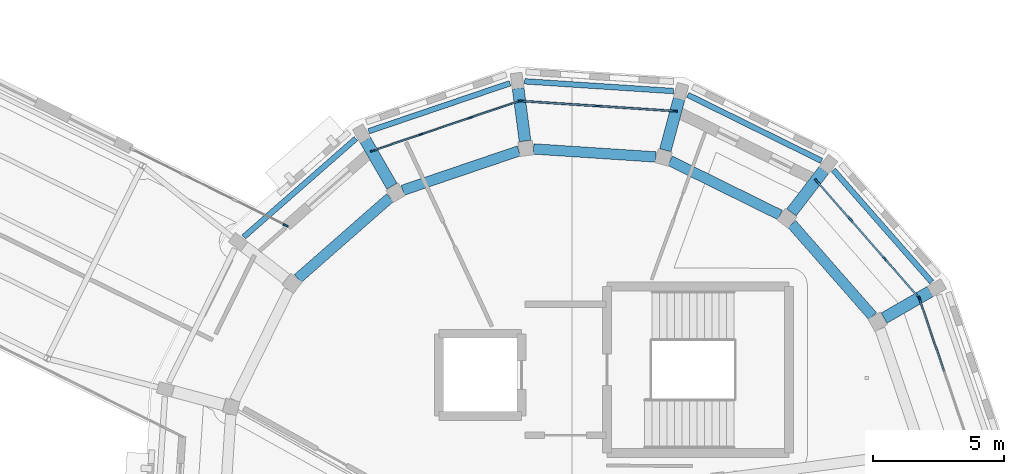
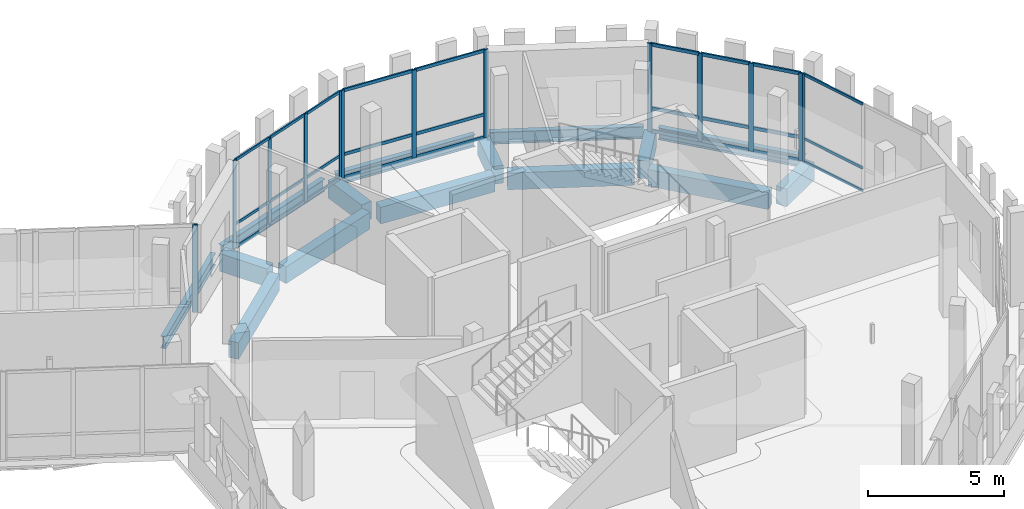
# One storey, part 69 of 125: 40 members, 15 beams, 5 elements without a shape of their own.
"""IFC4 building model written with IfcOpenShell, lengths in metres."""

from ifc_helpers import new_model, si_unit, direction, frame, origin, origin_2d, place, context, subcontext, project, spatial, rectangle, i_section, extrude, material, material_profile, profile_set, type_object, element, aggregate, save


model = new_model("IFC4")

# Units and contexts
model_context = context("Model", 3, precision=1e-05, world=origin(), true_north=direction((0.0, 1.0)))
body_context = subcontext(model_context, "Body", "Model", "MODEL_VIEW")
ifc_project = project(units=[si_unit("LENGTHUNIT", "METRE"), si_unit("AREAUNIT", "SQUARE_METRE"), si_unit("VOLUMEUNIT", "CUBIC_METRE"), si_unit("PLANEANGLEUNIT", "RADIAN"), si_unit("MASSUNIT", "GRAM", prefix="KILO")], contexts=[model_context])

# Site, building, storey
site_placement = place(None, origin())
site = spatial("IfcSite", under=ifc_project, at=site_placement, CompositionType="ELEMENT")
building_placement = place(site_placement, origin())
building = spatial("IfcBuilding", under=site, at=building_placement, Name="Wrenclough Park School", CompositionType="ELEMENT")
storey_placement = place(building_placement, frame((0.0, 0.0, 4.199951171875)))
storey = spatial("IfcBuildingStorey", under=building, at=storey_placement, Name="L01", CompositionType="ELEMENT", Elevation=4.199951171875)

# Curtain wall, members
ifc_material_1 = material(Name="Thermally broken aluminium and low-e glass curtain wall", Category="aluminium")
curtain_wall_type_1 = type_object("IfcCurtainWallType", Name="ENV-CW-03", PredefinedType="USERDEFINED", material=ifc_material_1)
curtain_wall_1_placement = place(storey_placement, origin())
curtain_wall_1 = element("IfcCurtainWall", 1, at=curtain_wall_1_placement, inside=storey, type_object=curtain_wall_type_1, Name="L01 recessed curtain wall assembly 114", ObjectType="CURTAIN WALL", PredefinedType="USERDEFINED")
ifc_material_2 = material(Name="Thermally broken anodised aluminium", Category="aluminium")
ifc_material_profile_1 = material_profile(ifc_material_2, rectangle(XDim=0.06005859375, YDim=0.159912109375, at=origin_2d()), Name="AL MULLION 60x160")
ifc_profile_set_1 = profile_set([ifc_material_profile_1], Name="Thermally broken anodised aluminium")
member_type_1 = type_object("IfcMemberType", Name="ENV-CWM-1", PredefinedType="MULLION", material=ifc_profile_set_1)
member_1_placement = place(storey_placement, frame((166.893310546875, 106.741943359375, 0.0), z_axis=(0.0, 0.0, 1.0), x_axis=(-0.321428688473, 0.946933787668, 0.0)))
member_1 = element("IfcMember", 2, at=member_1_placement, type_object=member_type_1, Name="CW-03 mullion 1", PredefinedType="MULLION", context=body_context, shape_type="SweptSolid", body=[
    extrude(rectangle(XDim=0.06005859375, YDim=0.159912109375, at=origin_2d()), origin(), (0.0, 0.0, 1.0), 3.93994140625),
])
member_2_placement = place(storey_placement, frame((168.743896484375, 107.3701171875, 0.0), z_axis=(0.0, 0.0, 1.0), x_axis=(-0.321428688473, 0.946933787668, 0.0)))
member_2 = element("IfcMember", 3, at=member_2_placement, type_object=member_type_1, Name="CW-03 mullion 2", PredefinedType="MULLION", context=body_context, shape_type="SweptSolid", body=[
    extrude(rectangle(XDim=0.06005859375, YDim=0.159912109375, at=origin_2d()), origin(), (0.0, 0.0, 1.0), 3.93994140625),
])
member_3_placement = place(storey_placement, frame((170.623046875, 108.0078125, 0.0), z_axis=(0.0, 0.0, 1.0), x_axis=(-0.321428688473, 0.946933787668, 0.0)))
member_3 = element("IfcMember", 4, at=member_3_placement, type_object=member_type_1, Name="CW-03 mullion 3", PredefinedType="MULLION", context=body_context, shape_type="SweptSolid", body=[
    extrude(rectangle(XDim=0.06005859375, YDim=0.159912109375, at=origin_2d()), origin(), (0.0, 0.0, 1.0), 3.93994140625),
])
member_4_placement = place(storey_placement, frame((172.4736328125, 108.635986328125, 0.0), z_axis=(0.0, 0.0, 1.0), x_axis=(-0.321428688473, 0.946933787668, 0.0)))
member_4 = element("IfcMember", 5, at=member_4_placement, type_object=member_type_1, Name="CW-03 mullion 4", PredefinedType="MULLION", context=body_context, shape_type="SweptSolid", body=[
    extrude(rectangle(XDim=0.06005859375, YDim=0.159912109375, at=origin_2d()), origin(), (0.0, 0.0, 1.0), 3.93994140625),
])

# Curtain wall, member
curtain_wall_type_2 = type_object("IfcCurtainWallType", Name="ENV-CW-06", PredefinedType="USERDEFINED", material=ifc_material_1)
curtain_wall_2_placement = place(storey_placement, origin())
curtain_wall_2 = element("IfcCurtainWall", 6, at=curtain_wall_2_placement, inside=storey, type_object=curtain_wall_type_2, Name="L01 recessed curtain wall assembly 117", ObjectType="CURTAIN WALL", PredefinedType="USERDEFINED")
member_5_placement = place(storey_placement, frame((187.741943359375, 101.106689453125, 0.0), z_axis=(0.0, 0.0, 1.0), x_axis=(0.946933787668, 0.321428688473, 0.0)))
member_5 = element("IfcMember", 7, at=member_5_placement, type_object=member_type_1, Name="CW-06 mullion 1", PredefinedType="MULLION", context=body_context, shape_type="SweptSolid", body=[
    extrude(rectangle(XDim=0.06005859375, YDim=0.159912109375, at=origin_2d()), origin(), (0.0, 0.0, 1.0), 3.93994140625),
])

# Curtain wall, members
curtain_wall_type_3 = type_object("IfcCurtainWallType", Name="ENV-CW-04", PredefinedType="USERDEFINED", material=ifc_material_1)
curtain_wall_3_placement = place(storey_placement, origin())
curtain_wall_3 = element("IfcCurtainWall", 8, at=curtain_wall_3_placement, inside=storey, type_object=curtain_wall_type_3, Name="L01 recessed curtain wall assembly 115", ObjectType="CURTAIN WALL", PredefinedType="USERDEFINED")
ifc_material_profile_2 = material_profile(ifc_material_2, rectangle(XDim=0.06494140625, YDim=0.179931640625, at=origin_2d()), Name="AL MULLION 65x180")
ifc_profile_set_2 = profile_set([ifc_material_profile_2], Name="Thermally broken anodised aluminium")
member_type_2 = type_object("IfcMemberType", Name="ENV-CWM-2", PredefinedType="MULLION", material=ifc_profile_set_2)
member_6_placement = place(storey_placement, frame((172.542236328125, 108.64453125, 0.0), z_axis=(0.0, 0.0, 1.0), x_axis=(0.065379498276, 0.997860471812, 0.0)))
member_6 = element("IfcMember", 9, at=member_6_placement, type_object=member_type_2, Name="CW-04 mullion 1", PredefinedType="MULLION", context=body_context, shape_type="SweptSolid", body=[
    extrude(rectangle(XDim=0.06494140625, YDim=0.179931640625, at=origin_2d()), origin(), (0.0, 0.0, 1.0), 3.93994140625),
])
member_7_placement = place(storey_placement, frame((175.47998046875, 108.4521484375, 0.0), z_axis=(0.0, 0.0, 1.0), x_axis=(0.065379498276, 0.997860471812, 0.0)))
member_7 = element("IfcMember", 10, at=member_7_placement, type_object=member_type_2, Name="CW-04 mullion 2", PredefinedType="MULLION", context=body_context, shape_type="SweptSolid", body=[
    extrude(rectangle(XDim=0.06494140625, YDim=0.179931640625, at=origin_2d()), origin(), (0.0, 0.0, 1.0), 3.93994140625),
])
member_8_placement = place(storey_placement, frame((178.417724609375, 108.259521484375, 0.0), z_axis=(0.0, 0.0, 1.0), x_axis=(0.065379498276, 0.997860471812, 0.0)))
member_8 = element("IfcMember", 11, at=member_8_placement, type_object=member_type_2, Name="CW-04 mullion 3", PredefinedType="MULLION", context=body_context, shape_type="SweptSolid", body=[
    extrude(rectangle(XDim=0.06494140625, YDim=0.179931640625, at=origin_2d()), origin(), (0.0, 0.0, 1.0), 3.93994140625),
])

# Curtain wall, member
curtain_wall_type_4 = type_object("IfcCurtainWallType", Name="ENV-CW-02", PredefinedType="USERDEFINED", material=ifc_material_1)
curtain_wall_4_placement = place(storey_placement, origin())
curtain_wall_4 = element("IfcCurtainWall", 12, at=curtain_wall_4_placement, inside=storey, type_object=curtain_wall_type_4, Name="L01 recessed curtain wall assembly 113", ObjectType="CURTAIN WALL", PredefinedType="USERDEFINED")
ifc_material_profile_3 = material_profile(ifc_material_2, rectangle(XDim=0.070068359375, YDim=0.199951171875, at=origin_2d()), Name="AL MULLION 70x200")
ifc_profile_set_3 = profile_set([ifc_material_profile_3], Name="Thermally broken anodised aluminium")
member_type_3 = type_object("IfcMemberType", Name="ENV-CWM-3", PredefinedType="MULLION", material=ifc_profile_set_3)
member_9_placement = place(storey_placement, frame((163.580810546875, 103.90185546875, 0.0), z_axis=(0.0, 0.0, 1.0), x_axis=(0.443511318294, 0.896268771377, 0.0)))
member_9 = element("IfcMember", 13, at=member_9_placement, type_object=member_type_3, Name="CW-02 mullion 4", PredefinedType="MULLION", context=body_context, shape_type="SweptSolid", body=[
    extrude(rectangle(XDim=0.070068359375, YDim=0.199951171875, at=origin_2d()), origin(), (0.0, 0.0, 1.0), 3.93994140625),
])
aggregate(curtain_wall_4, [member_9])

# Curtain wall, members
curtain_wall_type_5 = type_object("IfcCurtainWallType", Name="ENV-CW-05", PredefinedType="USERDEFINED", material=ifc_material_1)
curtain_wall_5_placement = place(storey_placement, origin())
curtain_wall_5 = element("IfcCurtainWall", 14, at=curtain_wall_5_placement, inside=storey, type_object=curtain_wall_type_5, Name="L01 recessed curtain wall assembly 116", ObjectType="CURTAIN WALL", PredefinedType="USERDEFINED")
member_10_placement = place(storey_placement, frame((183.826171875, 105.591064453125, 0.0), z_axis=(0.0, 0.0, 1.0), x_axis=(0.751822807743, 0.65936519908, 0.0)))
member_10 = element("IfcMember", 15, at=member_10_placement, type_object=member_type_3, Name="CW-05 mullion 1", PredefinedType="MULLION", context=body_context, shape_type="SweptSolid", body=[
    extrude(rectangle(XDim=0.070068359375, YDim=0.199951171875, at=origin_2d()), origin(), (0.0, 0.0, 1.0), 3.93994140625),
])
member_11_placement = place(storey_placement, frame((185.111572265625, 104.125732421875, 0.0), z_axis=(0.0, 0.0, 1.0), x_axis=(0.751822807743, 0.65936519908, 0.0)))
member_11 = element("IfcMember", 16, at=member_11_placement, type_object=member_type_3, Name="CW-05 mullion 2", PredefinedType="MULLION", context=body_context, shape_type="SweptSolid", body=[
    extrude(rectangle(XDim=0.070068359375, YDim=0.199951171875, at=origin_2d()), origin(), (0.0, 0.0, 1.0), 3.93994140625),
])
member_12_placement = place(storey_placement, frame((186.419921875, 102.6337890625, 0.0), z_axis=(0.0, 0.0, 1.0), x_axis=(0.751822807743, 0.65936519908, 0.0)))
member_12 = element("IfcMember", 17, at=member_12_placement, type_object=member_type_3, Name="CW-05 mullion 3", PredefinedType="MULLION", context=body_context, shape_type="SweptSolid", body=[
    extrude(rectangle(XDim=0.070068359375, YDim=0.199951171875, at=origin_2d()), origin(), (0.0, 0.0, 1.0), 3.93994140625),
])
member_13_placement = place(storey_placement, frame((187.705322265625, 101.168212890625, 0.0), z_axis=(0.0, 0.0, 1.0), x_axis=(0.751822807743, 0.65936519908, 0.0)))
member_13 = element("IfcMember", 18, at=member_13_placement, type_object=member_type_3, Name="CW-05 mullion 4", PredefinedType="MULLION", context=body_context, shape_type="SweptSolid", body=[
    extrude(rectangle(XDim=0.070068359375, YDim=0.199951171875, at=origin_2d()), origin(), (0.0, 0.0, 1.0), 3.93994140625),
])

# Member
ifc_material_profile_4 = material_profile(ifc_material_2, rectangle(XDim=0.06005859375, YDim=0.1201171875, at=origin_2d()), Name="AL TRANSOM 60x120")
ifc_profile_set_4 = profile_set([ifc_material_profile_4], Name="Thermally broken anodised aluminium")
member_type_4 = type_object("IfcMemberType", Name="ENV-CWT-1", PredefinedType="USERDEFINED", material=ifc_profile_set_4)
member_14_placement = place(storey_placement, frame((166.921630859375, 106.75146484375, 0.030029296875), z_axis=(0.946942284654, 0.321403655134, 0.0), x_axis=(-0.321403655134, 0.946942284654, 0.0)))
member_14 = element("IfcMember", 19, at=member_14_placement, type_object=member_type_4, Name="CW-03 transom 1.1", ObjectType="TRANSOM", PredefinedType="USERDEFINED", context=body_context, shape_type="SweptSolid", body=[
    extrude(rectangle(XDim=0.06005859375, YDim=0.1201171875, at=origin_2d()), origin(), (0.0, 0.0, 1.0), 1.89453125),
])

member_15_placement = place(storey_placement, frame((166.921630859375, 106.75146484375, 1.050048828125), z_axis=(0.946942284654, 0.321403655134, 0.0), x_axis=(-0.321403655134, 0.946942284654, 0.0)))
member_15 = element("IfcMember", 20, at=member_15_placement, type_object=member_type_4, Name="CW-03 transom 1.2", ObjectType="TRANSOM", PredefinedType="USERDEFINED", context=body_context, shape_type="SweptSolid", body=[
    extrude(rectangle(XDim=0.06005859375, YDim=0.1201171875, at=origin_2d()), origin(), (0.0, 0.0, 1.0), 1.89453125),
])

member_16_placement = place(storey_placement, frame((166.921630859375, 106.75146484375, 3.91015625), z_axis=(0.946942284654, 0.321403655134, 0.0), x_axis=(-0.321403655134, 0.946942284654, 0.0)))
member_16 = element("IfcMember", 21, at=member_16_placement, type_object=member_type_4, Name="CW-03 transom 1.3", ObjectType="TRANSOM", PredefinedType="USERDEFINED", context=body_context, shape_type="SweptSolid", body=[
    extrude(rectangle(XDim=0.06005859375, YDim=0.1201171875, at=origin_2d()), origin(), (0.0, 0.0, 1.0), 1.89453125),
])

member_17_placement = place(storey_placement, frame((168.7724609375, 107.379638671875, 0.030029296875), z_axis=(0.946918026374, 0.321475117743, 0.0), x_axis=(-0.321475117743, 0.946918026374, 0.0)))
member_17 = element("IfcMember", 22, at=member_17_placement, type_object=member_type_4, Name="CW-03 transom 2.1", ObjectType="TRANSOM", PredefinedType="USERDEFINED", context=body_context, shape_type="SweptSolid", body=[
    extrude(rectangle(XDim=0.06005859375, YDim=0.1201171875, at=origin_2d()), origin(), (0.0, 0.0, 1.0), 1.92431640625),
])

member_18_placement = place(storey_placement, frame((168.7724609375, 107.379638671875, 1.050048828125), z_axis=(0.946918026374, 0.321475117743, 0.0), x_axis=(-0.321475117743, 0.946918026374, 0.0)))
member_18 = element("IfcMember", 23, at=member_18_placement, type_object=member_type_4, Name="CW-03 transom 2.2", ObjectType="TRANSOM", PredefinedType="USERDEFINED", context=body_context, shape_type="SweptSolid", body=[
    extrude(rectangle(XDim=0.06005859375, YDim=0.1201171875, at=origin_2d()), origin(), (0.0, 0.0, 1.0), 1.92431640625),
])

member_19_placement = place(storey_placement, frame((168.7724609375, 107.379638671875, 3.91015625), z_axis=(0.946918026374, 0.321475117743, 0.0), x_axis=(-0.321475117743, 0.946918026374, 0.0)))
member_19 = element("IfcMember", 24, at=member_19_placement, type_object=member_type_4, Name="CW-03 transom 2.3", ObjectType="TRANSOM", PredefinedType="USERDEFINED", context=body_context, shape_type="SweptSolid", body=[
    extrude(rectangle(XDim=0.06005859375, YDim=0.1201171875, at=origin_2d()), origin(), (0.0, 0.0, 1.0), 1.92431640625),
])

member_20_placement = place(storey_placement, frame((170.6513671875, 108.017578125, 0.030029296875), z_axis=(0.946942284654, 0.321403655134, 0.0), x_axis=(-0.321403655134, 0.946942284654, 0.0)))
member_20 = element("IfcMember", 25, at=member_20_placement, type_object=member_type_4, Name="CW-03 transom 3.1", ObjectType="TRANSOM", PredefinedType="USERDEFINED", context=body_context, shape_type="SweptSolid", body=[
    extrude(rectangle(XDim=0.06005859375, YDim=0.1201171875, at=origin_2d()), origin(), (0.0, 0.0, 1.0), 1.89453125),
])

member_21_placement = place(storey_placement, frame((170.6513671875, 108.017578125, 1.050048828125), z_axis=(0.946942284654, 0.321403655134, 0.0), x_axis=(-0.321403655134, 0.946942284654, 0.0)))
member_21 = element("IfcMember", 26, at=member_21_placement, type_object=member_type_4, Name="CW-03 transom 3.2", ObjectType="TRANSOM", PredefinedType="USERDEFINED", context=body_context, shape_type="SweptSolid", body=[
    extrude(rectangle(XDim=0.06005859375, YDim=0.1201171875, at=origin_2d()), origin(), (0.0, 0.0, 1.0), 1.89453125),
])

member_22_placement = place(storey_placement, frame((170.6513671875, 108.017578125, 3.91015625), z_axis=(0.946942284654, 0.321403655134, 0.0), x_axis=(-0.321403655134, 0.946942284654, 0.0)))
member_22 = element("IfcMember", 27, at=member_22_placement, type_object=member_type_4, Name="CW-03 transom 3.3", ObjectType="TRANSOM", PredefinedType="USERDEFINED", context=body_context, shape_type="SweptSolid", body=[
    extrude(rectangle(XDim=0.06005859375, YDim=0.1201171875, at=origin_2d()), origin(), (0.0, 0.0, 1.0), 1.89453125),
])

aggregate(curtain_wall_1, [member_1, member_2, member_3, member_4, member_14, member_15, member_16, member_17, member_18, member_19, member_20, member_21, member_22])

member_23_placement = place(storey_placement, frame((187.75146484375, 101.078369140625, 0.030029296875), z_axis=(0.321399278852, -0.946943770006, 0.0), x_axis=(0.946943770006, 0.321399278852, 0.0)))
member_23 = element("IfcMember", 28, at=member_23_placement, type_object=member_type_4, Name="CW-06 transom 1.1", ObjectType="TRANSOM", PredefinedType="USERDEFINED", context=body_context, shape_type="SweptSolid", body=[
    extrude(rectangle(XDim=0.06005859375, YDim=0.1201171875, at=origin_2d()), origin(), (0.0, 0.0, 1.0), 2.886474609375),
])

member_24_placement = place(storey_placement, frame((187.75146484375, 101.078369140625, 1.050048828125), z_axis=(0.321399278852, -0.946943770006, 0.0), x_axis=(0.946943770006, 0.321399278852, 0.0)))
member_24 = element("IfcMember", 29, at=member_24_placement, type_object=member_type_4, Name="CW-06 transom 1.2", ObjectType="TRANSOM", PredefinedType="USERDEFINED", context=body_context, shape_type="SweptSolid", body=[
    extrude(rectangle(XDim=0.06005859375, YDim=0.1201171875, at=origin_2d()), origin(), (0.0, 0.0, 1.0), 2.886474609375),
])

member_25_placement = place(storey_placement, frame((187.75146484375, 101.078369140625, 3.91015625), z_axis=(0.321399278852, -0.946943770006, 0.0), x_axis=(0.946943770006, 0.321399278852, 0.0)))
member_25 = element("IfcMember", 30, at=member_25_placement, type_object=member_type_4, Name="CW-06 transom 1.3", ObjectType="TRANSOM", PredefinedType="USERDEFINED", context=body_context, shape_type="SweptSolid", body=[
    extrude(rectangle(XDim=0.06005859375, YDim=0.1201171875, at=origin_2d()), origin(), (0.0, 0.0, 1.0), 2.886474609375),
])

aggregate(curtain_wall_2, [member_5, member_23, member_24, member_25])

ifc_material_profile_5 = material_profile(ifc_material_2, rectangle(XDim=0.06494140625, YDim=0.139892578125, at=origin_2d()), Name="AL TRANSOM 65x140")
ifc_profile_set_5 = profile_set([ifc_material_profile_5], Name="Thermally broken anodised aluminium")
member_type_5 = type_object("IfcMemberType", Name="ENV-CWT-2", PredefinedType="USERDEFINED", material=ifc_profile_set_5)
member_26_placement = place(storey_placement, frame((172.57470703125, 108.642333984375, 0.032470703125), z_axis=(0.997865835309, -0.065297585892, 0.0), x_axis=(0.065297585892, 0.997865835309, 0.0)))
member_26 = element("IfcMember", 31, at=member_26_placement, type_object=member_type_5, Name="CW-04 transom 1.1", ObjectType="TRANSOM", PredefinedType="USERDEFINED", context=body_context, shape_type="SweptSolid", body=[
    extrude(rectangle(XDim=0.06494140625, YDim=0.139892578125, at=origin_2d()), origin(), (0.0, 0.0, 1.0), 2.87890625),
])

member_27_placement = place(storey_placement, frame((172.57470703125, 108.642333984375, 1.050048828125), z_axis=(0.997865835309, -0.065297585892, 0.0), x_axis=(0.065297585892, 0.997865835309, 0.0)))
member_27 = element("IfcMember", 32, at=member_27_placement, type_object=member_type_5, Name="CW-04 transom 1.2", ObjectType="TRANSOM", PredefinedType="USERDEFINED", context=body_context, shape_type="SweptSolid", body=[
    extrude(rectangle(XDim=0.06494140625, YDim=0.139892578125, at=origin_2d()), origin(), (0.0, 0.0, 1.0), 2.87890625),
])

member_28_placement = place(storey_placement, frame((172.57470703125, 108.642333984375, 3.907470703125), z_axis=(0.997865835309, -0.065297585892, 0.0), x_axis=(0.065297585892, 0.997865835309, 0.0)))
member_28 = element("IfcMember", 33, at=member_28_placement, type_object=member_type_5, Name="CW-04 transom 1.3", ObjectType="TRANSOM", PredefinedType="USERDEFINED", context=body_context, shape_type="SweptSolid", body=[
    extrude(rectangle(XDim=0.06494140625, YDim=0.139892578125, at=origin_2d()), origin(), (0.0, 0.0, 1.0), 2.87890625),
])

member_29_placement = place(storey_placement, frame((175.512451171875, 108.449951171875, 0.032470703125), z_axis=(0.997860306215, -0.065382025673, 0.0), x_axis=(0.065382025673, 0.997860306215, 0.0)))
member_29 = element("IfcMember", 34, at=member_29_placement, type_object=member_type_5, Name="CW-04 transom 2.1", ObjectType="TRANSOM", PredefinedType="USERDEFINED", context=body_context, shape_type="SweptSolid", body=[
    extrude(rectangle(XDim=0.06494140625, YDim=0.139892578125, at=origin_2d()), origin(), (0.0, 0.0, 1.0), 2.87890625),
])

member_30_placement = place(storey_placement, frame((175.512451171875, 108.449951171875, 1.050048828125), z_axis=(0.997860306215, -0.065382025673, 0.0), x_axis=(0.065382025673, 0.997860306215, 0.0)))
member_30 = element("IfcMember", 35, at=member_30_placement, type_object=member_type_5, Name="CW-04 transom 2.2", ObjectType="TRANSOM", PredefinedType="USERDEFINED", context=body_context, shape_type="SweptSolid", body=[
    extrude(rectangle(XDim=0.06494140625, YDim=0.139892578125, at=origin_2d()), origin(), (0.0, 0.0, 1.0), 2.87890625),
])

member_31_placement = place(storey_placement, frame((175.512451171875, 108.449951171875, 3.907470703125), z_axis=(0.997860306215, -0.065382025673, 0.0), x_axis=(0.065382025673, 0.997860306215, 0.0)))
member_31 = element("IfcMember", 36, at=member_31_placement, type_object=member_type_5, Name="CW-04 transom 2.3", ObjectType="TRANSOM", PredefinedType="USERDEFINED", context=body_context, shape_type="SweptSolid", body=[
    extrude(rectangle(XDim=0.06494140625, YDim=0.139892578125, at=origin_2d()), origin(), (0.0, 0.0, 1.0), 2.87890625),
])

aggregate(curtain_wall_3, [member_6, member_7, member_8, member_26, member_27, member_28, member_29, member_30, member_31])

ifc_material_profile_6 = material_profile(ifc_material_2, rectangle(XDim=0.070068359375, YDim=0.14990234375, at=origin_2d()), Name="AL TRANSOM 70x150")
ifc_profile_set_6 = profile_set([ifc_material_profile_6], Name="Thermally broken anodised aluminium")
member_type_6 = type_object("IfcMemberType", Name="ENV-CWT-3", PredefinedType="USERDEFINED", material=ifc_profile_set_6)
member_32_placement = place(storey_placement, frame((183.849365234375, 105.56494140625, 0.03515625), z_axis=(0.659276803766, -0.751900323192, 0.0), x_axis=(0.751900323192, 0.659276803766, 0.0)))
member_32 = element("IfcMember", 37, at=member_32_placement, type_object=member_type_6, Name="CW-05 transom 1.1", ObjectType="TRANSOM", PredefinedType="USERDEFINED", context=body_context, shape_type="SweptSolid", body=[
    extrude(rectangle(XDim=0.070068359375, YDim=0.14990234375, at=origin_2d()), origin(), (0.0, 0.0, 1.0), 1.87939453125),
])

member_33_placement = place(storey_placement, frame((183.849365234375, 105.56494140625, 1.050048828125), z_axis=(0.659276803766, -0.751900323192, 0.0), x_axis=(0.751900323192, 0.659276803766, 0.0)))
member_33 = element("IfcMember", 38, at=member_33_placement, type_object=member_type_6, Name="CW-05 transom 1.2", ObjectType="TRANSOM", PredefinedType="USERDEFINED", context=body_context, shape_type="SweptSolid", body=[
    extrude(rectangle(XDim=0.070068359375, YDim=0.14990234375, at=origin_2d()), origin(), (0.0, 0.0, 1.0), 1.87939453125),
])

member_34_placement = place(storey_placement, frame((183.849365234375, 105.56494140625, 3.905029296875), z_axis=(0.659276803766, -0.751900323192, 0.0), x_axis=(0.751900323192, 0.659276803766, 0.0)))
member_34 = element("IfcMember", 39, at=member_34_placement, type_object=member_type_6, Name="CW-05 transom 1.3", ObjectType="TRANSOM", PredefinedType="USERDEFINED", context=body_context, shape_type="SweptSolid", body=[
    extrude(rectangle(XDim=0.070068359375, YDim=0.14990234375, at=origin_2d()), origin(), (0.0, 0.0, 1.0), 1.87939453125),
])

member_35_placement = place(storey_placement, frame((185.134521484375, 104.099365234375, 0.03515625), z_axis=(0.659361945465, -0.751825661222, 0.0), x_axis=(0.751825661222, 0.659361945465, 0.0)))
member_35 = element("IfcMember", 40, at=member_35_placement, type_object=member_type_6, Name="CW-05 transom 2.1", ObjectType="TRANSOM", PredefinedType="USERDEFINED", context=body_context, shape_type="SweptSolid", body=[
    extrude(rectangle(XDim=0.070068359375, YDim=0.14990234375, at=origin_2d()), origin(), (0.0, 0.0, 1.0), 1.914306640625),
])

member_36_placement = place(storey_placement, frame((185.134521484375, 104.099365234375, 1.050048828125), z_axis=(0.659361945465, -0.751825661222, 0.0), x_axis=(0.751825661222, 0.659361945465, 0.0)))
member_36 = element("IfcMember", 41, at=member_36_placement, type_object=member_type_6, Name="CW-05 transom 2.2", ObjectType="TRANSOM", PredefinedType="USERDEFINED", context=body_context, shape_type="SweptSolid", body=[
    extrude(rectangle(XDim=0.070068359375, YDim=0.14990234375, at=origin_2d()), origin(), (0.0, 0.0, 1.0), 1.914306640625),
])

member_37_placement = place(storey_placement, frame((185.134521484375, 104.099365234375, 3.905029296875), z_axis=(0.659361945465, -0.751825661222, 0.0), x_axis=(0.751825661222, 0.659361945465, 0.0)))
member_37 = element("IfcMember", 42, at=member_37_placement, type_object=member_type_6, Name="CW-05 transom 2.3", ObjectType="TRANSOM", PredefinedType="USERDEFINED", context=body_context, shape_type="SweptSolid", body=[
    extrude(rectangle(XDim=0.070068359375, YDim=0.14990234375, at=origin_2d()), origin(), (0.0, 0.0, 1.0), 1.914306640625),
])

member_38_placement = place(storey_placement, frame((186.44287109375, 102.607421875, 0.03515625), z_axis=(0.6594146338, -0.751779449527, 0.0), x_axis=(0.751779449527, 0.6594146338, 0.0)))
member_38 = element("IfcMember", 43, at=member_38_placement, type_object=member_type_6, Name="CW-05 transom 3.1", ObjectType="TRANSOM", PredefinedType="USERDEFINED", context=body_context, shape_type="SweptSolid", body=[
    extrude(rectangle(XDim=0.070068359375, YDim=0.14990234375, at=origin_2d()), origin(), (0.0, 0.0, 1.0), 1.87939453125),
])

member_39_placement = place(storey_placement, frame((186.44287109375, 102.607421875, 1.050048828125), z_axis=(0.6594146338, -0.751779449527, 0.0), x_axis=(0.751779449527, 0.6594146338, 0.0)))
member_39 = element("IfcMember", 44, at=member_39_placement, type_object=member_type_6, Name="CW-05 transom 3.2", ObjectType="TRANSOM", PredefinedType="USERDEFINED", context=body_context, shape_type="SweptSolid", body=[
    extrude(rectangle(XDim=0.070068359375, YDim=0.14990234375, at=origin_2d()), origin(), (0.0, 0.0, 1.0), 1.87939453125),
])

member_40_placement = place(storey_placement, frame((186.44287109375, 102.607421875, 3.905029296875), z_axis=(0.6594146338, -0.751779449527, 0.0), x_axis=(0.751779449527, 0.6594146338, 0.0)))
member_40 = element("IfcMember", 45, at=member_40_placement, type_object=member_type_6, Name="CW-05 transom 3.3", ObjectType="TRANSOM", PredefinedType="USERDEFINED", context=body_context, shape_type="SweptSolid", body=[
    extrude(rectangle(XDim=0.070068359375, YDim=0.14990234375, at=origin_2d()), origin(), (0.0, 0.0, 1.0), 1.87939453125),
])

aggregate(curtain_wall_5, [member_10, member_11, member_12, member_13, member_32, member_33, member_34, member_35, member_36, member_37, member_38, member_39, member_40])

# Beams
ifc_material_3 = material(Name="Concrete C35/45", Category="concrete")
ifc_material_profile_7 = material_profile(ifc_material_3, rectangle(XDim=0.39990234375, YDim=0.75, at=origin_2d()), Name="RC BEAM 400x750")
ifc_profile_set_7 = profile_set([ifc_material_profile_7], Name="Concrete C35/45")
beam_type_1 = type_object("IfcBeamType", Name="STR-BM-RC400B", PredefinedType="BEAM", material=ifc_profile_set_7)
beam_1_placement = place(storey_placement, frame((185.9580078125, 100.44140625, -0.639892578125), z_axis=(-0.659318126683, 0.751864088667, 0.0), x_axis=(-0.751864088667, -0.659318126683, 0.0)))
element("IfcBeam", 46, at=beam_1_placement, inside=storey, type_object=beam_type_1, Name="D5 L01 middle ring beam 2", PredefinedType="BEAM", context=body_context, shape_type="SweptSolid", body=[
    extrude(rectangle(XDim=0.39990234375, YDim=0.75, at=origin_2d()), origin(), (0.0, 0.0, 1.0), 4.671875),
])
beam_2_placement = place(storey_placement, frame((182.429443359375, 104.298095703125, -0.639892578125), z_axis=(-0.896880241617, 0.442273481226, 0.0), x_axis=(-0.442273481226, -0.896880241617, 0.0)))
element("IfcBeam", 47, at=beam_2_placement, inside=storey, type_object=beam_type_1, Name="D5 L01 middle ring beam 3", PredefinedType="BEAM", context=body_context, shape_type="SweptSolid", body=[
    extrude(rectangle(XDim=0.39990234375, YDim=0.75, at=origin_2d()), origin(), (0.0, 0.0, 1.0), 4.671630859375),
])
for number, where, z_axis, x_axis, name in (
    (48, (177.693603515625, 106.510498046875, -0.639892578125), (-0.997857396509, 0.065426418457, 0.0), (-0.065426418457, -0.997857396509, 0.0), "D5 L01 middle ring beam 4"),
    (49, (172.4716796875, 106.7421875, -0.639892578125), (-0.946934115804, -0.321427721776, 0.0), (0.321427721776, -0.946934115804, 0.0), "D5 L01 middle ring beam 5"),
    (50, (167.55859375, 104.9580078125, -0.639892578125), (-0.751864088667, -0.659318126683, 0.0), (0.659318126683, -0.751864088667, 0.0), "D5 L01 middle ring beam 6"),
):
    element("IfcBeam", number, at=place(storey_placement, frame(where, z_axis=z_axis, x_axis=x_axis)), inside=storey, type_object=beam_type_1, Name=name, PredefinedType="BEAM", context=body_context, shape_type="SweptSolid", body=[
        extrude(rectangle(XDim=0.39990234375, YDim=0.75, at=origin_2d()), origin(), (0.0, 0.0, 1.0), 4.671875),
    ])
ifc_material_4 = material(Name="Concrete C40/50", Category="concrete")
ifc_material_profile_8 = material_profile(ifc_material_4, rectangle(XDim=0.449951171875, YDim=0.800048828125, at=origin_2d()), Name="RC BEAM 450x800")
ifc_profile_set_8 = profile_set([ifc_material_profile_8], Name="Concrete C40/50")
beam_type_2 = type_object("IfcBeamType", Name="STR-BM-RC450", PredefinedType="BEAM", material=ifc_profile_set_8)
beam_3_placement = place(storey_placement, frame((188.150390625, 101.381103515625, -0.6650390625), z_axis=(-0.865992756901, -0.500056541798, 0.0), x_axis=(0.500056541798, -0.865992756901, 0.0)))
element("IfcBeam", 51, at=beam_3_placement, inside=storey, type_object=beam_type_2, Name="D5 L01 radial girder 2", PredefinedType="BEAM", context=body_context, shape_type="SweptSolid", body=[
    extrude(rectangle(XDim=0.449951171875, YDim=0.800048828125, at=origin_2d()), origin(), (0.0, 0.0, 1.0), 2.024169921875),
])
for number, where, z_axis, x_axis, name in (
    (52, (184.09521484375, 106.0048828125, -0.6650390625), (-0.608783476285, -0.793336422335, 0.0), (0.793336422335, -0.608783476285, 0.0), "D5 L01 radial girder 3"),
    (53, (178.57958984375, 108.724853515625, -0.6650390625), (-0.258878789183, -0.965909815931, 0.0), (0.965909815931, -0.258878789183, 0.0), "D5 L01 radial girder 4"),
):
    element("IfcBeam", number, at=place(storey_placement, frame(where, z_axis=z_axis, x_axis=x_axis)), inside=storey, type_object=beam_type_2, Name=name, PredefinedType="BEAM", context=body_context, shape_type="SweptSolid", body=[
        extrude(rectangle(XDim=0.449951171875, YDim=0.800048828125, at=origin_2d()), origin(), (0.0, 0.0, 1.0), 2.02392578125),
    ])
for number, where, z_axis, x_axis, name in (
    (54, (172.442626953125, 109.127197265625, -0.6650390625), (0.130504433005, -0.991447725786, 0.0), (0.991447725786, 0.130504433005, 0.0), "D5 L01 radial girder 5"),
    (55, (166.618896484375, 107.150390625, -0.6650390625), (0.500056541798, -0.865992756901, 0.0), (0.865992756901, 0.500056541798, 0.0), "D5 L01 radial girder 6"),
):
    element("IfcBeam", number, at=place(storey_placement, frame(where, z_axis=z_axis, x_axis=x_axis)), inside=storey, type_object=beam_type_2, Name=name, PredefinedType="BEAM", context=body_context, shape_type="SweptSolid", body=[
        extrude(rectangle(XDim=0.449951171875, YDim=0.800048828125, at=origin_2d()), origin(), (0.0, 0.0, 1.0), 2.024169921875),
    ])
ifc_material_5 = material(Name="Structural steel S355", Category="steel")
ifc_material_profile_9 = material_profile(ifc_material_5, i_section(OverallWidth=0.210693359375, OverallDepth=0.53955078125, WebThickness=0.01171875, FlangeThickness=0.018798828125, FilletRadius=0.0126953125, at=origin_2d()), Name="UKB 533x210x109")
ifc_profile_set_9 = profile_set([ifc_material_profile_9], Name="Structural steel S355")
beam_type_3 = type_object("IfcBeamType", Name="STR-BM-UKB533B", PredefinedType="SPANDREL", material=ifc_profile_set_9)
beam_4_placement = place(storey_placement, frame((188.209716796875, 101.741455078125, -0.53466796875), z_axis=(-0.659330966856, 0.75185282878, 0.0), x_axis=(-0.75185282878, -0.659330966856, 0.0)))
element("IfcBeam", 56, at=beam_4_placement, inside=storey, type_object=beam_type_3, Name="D5 L01 outer ring spandrel beam 2", PredefinedType="SPANDREL", context=body_context, shape_type="SweptSolid", body=[
    extrude(i_section(OverallWidth=0.210693359375, OverallDepth=0.53955078125, WebThickness=0.01171875, FlangeThickness=0.018798828125, FilletRadius=0.0126953125, at=origin_2d()), origin(), (0.0, 0.0, 1.0), 5.6865234375),
])
beam_5_placement = place(storey_placement, frame((184.01220703125, 106.360595703125, -0.53466796875), z_axis=(-0.896861071545, 0.442312353825, 0.0), x_axis=(-0.442312353825, -0.896861071545, 0.0)))
element("IfcBeam", 57, at=beam_5_placement, inside=storey, type_object=beam_type_3, Name="D5 L01 outer ring spandrel beam 3", PredefinedType="SPANDREL", context=body_context, shape_type="SweptSolid", body=[
    extrude(i_section(OverallWidth=0.210693359375, OverallDepth=0.53955078125, WebThickness=0.01171875, FlangeThickness=0.018798828125, FilletRadius=0.0126953125, at=origin_2d()), origin(), (0.0, 0.0, 1.0), 5.686279296875),
])
beam_6_placement = place(storey_placement, frame((178.36669921875, 109.02197265625, -0.53466796875), z_axis=(-0.997859935087, 0.065387689577, 0.0), x_axis=(-0.065387689577, -0.997859935087, 0.0)))
element("IfcBeam", 58, at=beam_6_placement, inside=storey, type_object=beam_type_3, Name="D5 L01 outer ring spandrel beam 4", PredefinedType="SPANDREL", context=body_context, shape_type="SweptSolid", body=[
    extrude(i_section(OverallWidth=0.210693359375, OverallDepth=0.53955078125, WebThickness=0.01171875, FlangeThickness=0.018798828125, FilletRadius=0.0126953125, at=origin_2d()), origin(), (0.0, 0.0, 1.0), 5.6865234375),
])
beam_7_placement = place(storey_placement, frame((172.13232421875, 109.320068359375, -0.53466796875), z_axis=(-0.946925734196, -0.321452413146, 0.0), x_axis=(0.321452413146, -0.946925734196, 0.0)))
element("IfcBeam", 59, at=beam_7_placement, inside=storey, type_object=beam_type_3, Name="D5 L01 outer ring spandrel beam 5", PredefinedType="SPANDREL", context=body_context, shape_type="SweptSolid", body=[
    extrude(i_section(OverallWidth=0.210693359375, OverallDepth=0.53955078125, WebThickness=0.01171875, FlangeThickness=0.018798828125, FilletRadius=0.0126953125, at=origin_2d()), origin(), (0.0, 0.0, 1.0), 5.686279296875),
])
beam_8_placement = place(storey_placement, frame((166.258544921875, 107.209716796875, -0.53466796875), z_axis=(-0.75185282878, -0.659330966856, 0.0), x_axis=(0.659330966856, -0.75185282878, 0.0)))
element("IfcBeam", 60, at=beam_8_placement, inside=storey, type_object=beam_type_3, Name="D5 L01 outer ring spandrel beam 6", PredefinedType="SPANDREL", context=body_context, shape_type="SweptSolid", body=[
    extrude(i_section(OverallWidth=0.210693359375, OverallDepth=0.53955078125, WebThickness=0.01171875, FlangeThickness=0.018798828125, FilletRadius=0.0126953125, at=origin_2d()), origin(), (0.0, 0.0, 1.0), 5.6865234375),
])

save(model, "model.ifc")
